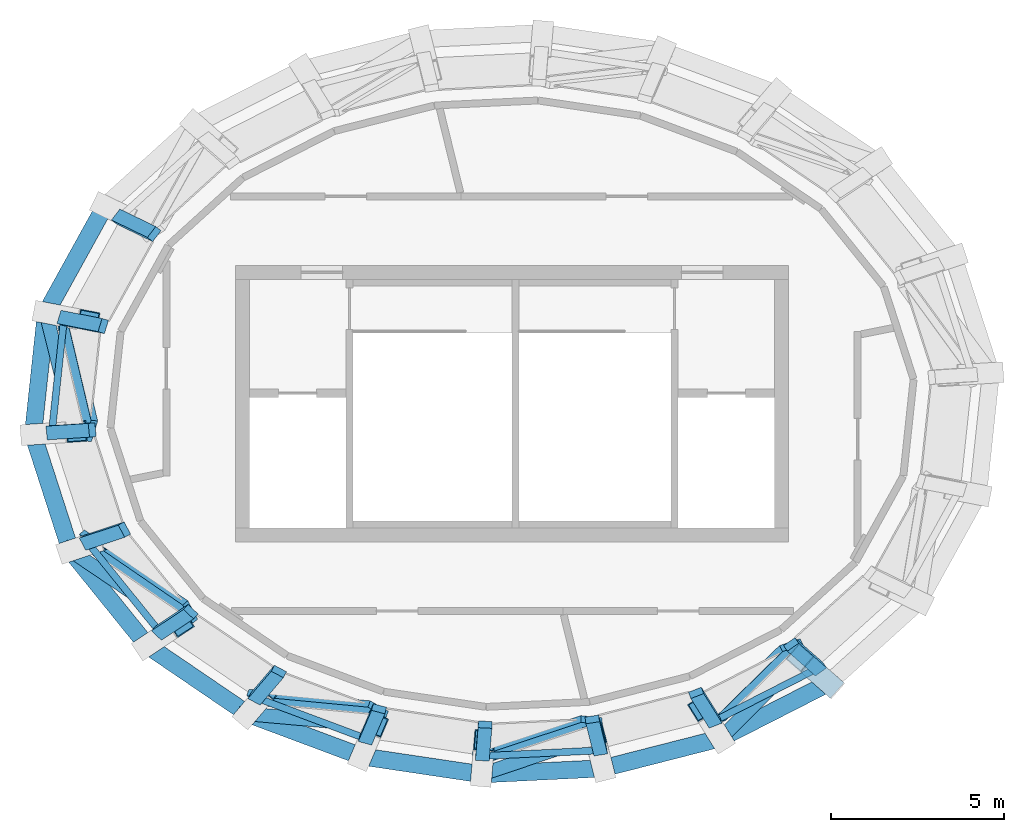
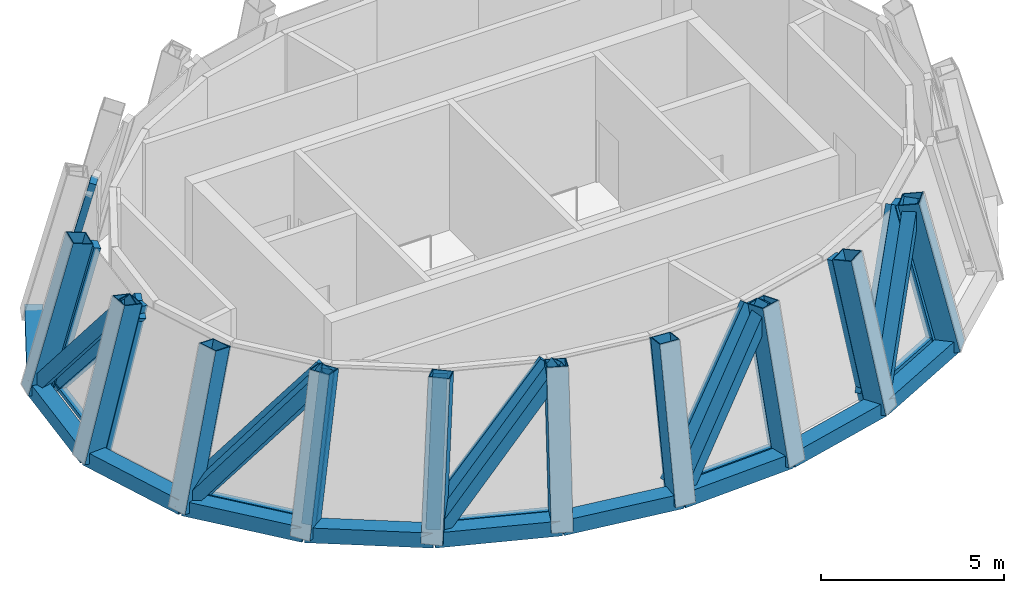
# One storey, part 1 of 6: 36 members, 10 beams, 1 element without a shape of its own.
"""IFC4 building model written with IfcOpenShell, lengths in metres."""

import ifcopenshell
import ifcopenshell.guid

model = None  # the IFC model being written
_history = None  # IfcOwnerHistory: only IFC2X3 demands one
_inside = {}  # id of a spatial element -> (the spatial element, [elements in it])
_under = {}  # id of a project, library or spatial element -> (it, [spatial elements below it])
_declared = {}  # id of a project -> (the project, [libraries it declares])
_typed = {}  # id of a type object -> (the type object, [elements of that type])
_made_of = {}  # id of a material, layer set ... -> (it, [elements and type objects made of it])


def new_model(schema):
    """Start an empty IFC model of exactly this schema.

    Asked for "IFC4X3", IfcOpenShell would pick the latest addendum, in which some entities
    have other attributes; the version numbers below select the first issue.
    IFC2X3 requires an IfcOwnerHistory on every rooted entity: one is made here for all.
    """
    global model, _history
    if schema == "IFC4X3":
        model = ifcopenshell.file(schema_version=(4, 3, 0, 0))
    else:
        model = ifcopenshell.file(schema=schema)
    _inside.clear()
    _under.clear()
    _declared.clear()
    _typed.clear()
    _made_of.clear()
    _history = None
    if model.schema == "IFC2X3":
        org = make("IfcOrganization", Name="unknown")
        user = make(
            "IfcPersonAndOrganization",
            ThePerson=make("IfcPerson", FamilyName="unknown"),
            TheOrganization=org,
        )
        app = make(
            "IfcApplication",
            ApplicationDeveloper=org,
            Version="unknown",
            ApplicationFullName="unknown",
            ApplicationIdentifier="unknown",
        )
        _history = make(
            "IfcOwnerHistory",
            OwningUser=user,
            OwningApplication=app,
            ChangeAction="ADDED",
            CreationDate=0,
        )
    return model


def make(cls, **values):
    """One entity of the class cls with the attributes given. An attribute that is None is left unset."""
    return model.create_entity(
        cls, **{name: value for name, value in values.items() if value is not None}
    )


def rooted(cls, **values):
    """An entity with a GlobalId (a new one), such as an element, a storey or a relation."""
    return make(cls, GlobalId=ifcopenshell.guid.new(), OwnerHistory=_history, **values)


def si_unit(unit_type, name, prefix=None):
    """IfcSIUnit, for example si_unit("LENGTHUNIT", "METRE", prefix="MILLI")."""
    return make("IfcSIUnit", UnitType=unit_type, Prefix=prefix, Name=name)


def assignment(units):
    """IfcUnitAssignment: the units of a project."""
    return None if units is None else make("IfcUnitAssignment", Units=units)


def point(xyz):
    """IfcCartesianPoint."""
    return None if xyz is None else make("IfcCartesianPoint", Coordinates=xyz)


def direction(xyz):
    """IfcDirection."""
    return None if xyz is None else make("IfcDirection", DirectionRatios=xyz)


def frame(location, z_axis=None, x_axis=None):
    """IfcAxis2Placement3D, a coordinate frame: its origin and axes. An axis left out is left unset."""
    return make(
        "IfcAxis2Placement3D",
        Location=point(location),
        Axis=direction(z_axis),
        RefDirection=direction(x_axis),
    )


def frame_2d(location, x_axis=None):
    """IfcAxis2Placement2D, a coordinate frame in the plane: its origin and x axis."""
    return make(
        "IfcAxis2Placement2D", Location=point(location), RefDirection=direction(x_axis)
    )


def origin():
    """The frame at (0, 0, 0) with its axes left unset."""
    return frame((0.0, 0.0, 0.0))


def origin_2d():
    """The frame at (0, 0) in the plane with its x axis left unset."""
    return frame_2d((0.0, 0.0))


def place(relative_to, where):
    """IfcLocalPlacement: puts the frame where relative to a parent placement (None: the world)."""
    return make(
        "IfcLocalPlacement", PlacementRelTo=relative_to, RelativePlacement=where
    )


def context(
    kind, dimensions, precision=None, world=None, true_north=None, identifier=None
):
    """IfcGeometricRepresentationContext, for example the 3D "Model" context."""
    return make(
        "IfcGeometricRepresentationContext",
        ContextIdentifier=identifier,
        ContextType=kind,
        CoordinateSpaceDimension=dimensions,
        Precision=precision,
        WorldCoordinateSystem=world,
        TrueNorth=true_north,
    )


def subcontext(parent, identifier, kind, view, scale=None):
    """IfcGeometricRepresentationSubContext, for example "Body" below "Model"."""
    return make(
        "IfcGeometricRepresentationSubContext",
        ContextIdentifier=identifier,
        ContextType=kind,
        ParentContext=parent,
        TargetScale=scale,
        TargetView=view,
    )


def project(units=None, contexts=None):
    """IfcProject with its units and contexts."""
    return rooted(
        "IfcProject",
        Name="project",
        RepresentationContexts=contexts,
        UnitsInContext=assignment(units),
    )


def spatial(cls, under=None, at=None, **own):
    """A site, building, storey or space (cls), placed at a placement, below another one or the project."""
    s = rooted(cls, ObjectPlacement=at, **own)
    if under is not None:
        _under.setdefault(under.id(), (under, []))[1].append(s)
    return s


def profile(cls, at=None, kind="AREA", **sizes):
    """A parametric profile (cls). Its sizes go by their IFC names, for example OverallWidth=200.0."""
    return make(cls, ProfileType=kind, Position=at, **sizes)


def rectangle(**sizes):
    """IfcRectangleProfileDef."""
    return profile("IfcRectangleProfileDef", **sizes)


def hollow_rectangle(**sizes):
    """IfcRectangleHollowProfileDef."""
    return profile("IfcRectangleHollowProfileDef", **sizes)


def extrude(swept, where, along, depth):
    """IfcExtrudedAreaSolid: the profile swept, set in the frame where, extruded along a direction by depth."""
    return make(
        "IfcExtrudedAreaSolid",
        SweptArea=swept,
        Position=where,
        ExtrudedDirection=direction(along),
        Depth=depth,
    )


def shape(context_of_items, identifier, shape_type, items):
    """IfcShapeRepresentation: the items that make up one representation, for example the "Body"."""
    return make(
        "IfcShapeRepresentation",
        ContextOfItems=context_of_items,
        RepresentationIdentifier=identifier,
        RepresentationType=shape_type,
        Items=items,
    )


def source(mapping_origin, context_of_items, identifier, shape_type, items):
    """IfcRepresentationMap: a shape defined once, which mapped items show again and again."""
    return make(
        "IfcRepresentationMap",
        MappingOrigin=mapping_origin,
        MappedRepresentation=shape(context_of_items, identifier, shape_type, items),
    )


def transform(
    local_origin,
    x_axis=None,
    y_axis=None,
    z_axis=None,
    scale=None,
    scale2=None,
    scale3=None,
    uniform=True,
):
    """IfcCartesianTransformationOperator3D, or its non-uniform kind. x_axis, y_axis, z_axis: its Axis1, 2, 3."""
    if uniform:
        return make(
            "IfcCartesianTransformationOperator3D",
            Axis1=direction(x_axis),
            Axis2=direction(y_axis),
            LocalOrigin=point(local_origin),
            Scale=scale,
            Axis3=direction(z_axis),
        )
    return make(
        "IfcCartesianTransformationOperator3DnonUniform",
        Axis1=direction(x_axis),
        Axis2=direction(y_axis),
        LocalOrigin=point(local_origin),
        Scale=scale,
        Axis3=direction(z_axis),
        Scale2=scale2,
        Scale3=scale3,
    )


def mapped(mapping_source, mapping_target):
    """IfcMappedItem: shows the shape of a source again, moved by a transform."""
    return make(
        "IfcMappedItem", MappingSource=mapping_source, MappingTarget=mapping_target
    )


def material(Name=None, Category=None):
    """IfcMaterial."""
    return make("IfcMaterial", Name=Name, Category=Category)


def material_profile(
    of_material, cross_section, Name=None, Category=None, Priority=None
):
    """IfcMaterialProfile: a cross section and its material."""
    return make(
        "IfcMaterialProfile",
        Name=Name,
        Material=of_material,
        Profile=cross_section,
        Priority=Priority,
        Category=Category,
    )


def profile_set(profiles, Name=None, composite=None):
    """IfcMaterialProfileSet."""
    return make(
        "IfcMaterialProfileSet",
        Name=Name,
        MaterialProfiles=profiles,
        CompositeProfile=composite,
    )


def made_of(thing, what):
    """Note that an element or type object is made of a material, layer set ...; save() writes the relation."""
    if what is not None:
        _made_of.setdefault(what.id(), (what, []))[1].append(thing)
    return thing


def type_object(cls, material=None, **own):
    """A type object (cls), such as IfcWallType, which elements share."""
    return made_of(rooted(cls, **own), material)


def element(
    cls,
    number,
    at=None,
    inside=None,
    cuts=None,
    type_object=None,
    material=None,
    context=None,
    identifier="Body",
    shape_type=None,
    held_by="IfcProductDefinitionShape",
    body=None,
    shapes=None,
    **own,
):
    """One element of the class cls, such as IfcWall. Its Tag is "e" and its number.

    at: its placement. inside: the storey or other place that contains it. cuts: it is an
    opening in that element (IfcRelVoidsElement). A single representation is given by context,
    identifier, shape_type and body (its items); several are given by shapes. held_by: the class
    of the entity that holds the representations. save() writes the other relations.
    """
    e = rooted(cls, Tag="e%d" % number, ObjectPlacement=at, **own)
    if body is not None:
        shapes = [shape(context, identifier, shape_type, body)]
    if shapes is not None:
        e.Representation = make(held_by, Representations=shapes)
    if inside is not None:
        _inside.setdefault(inside.id(), (inside, []))[1].append(e)
    if cuts is not None:
        rooted(
            "IfcRelVoidsElement", RelatingBuildingElement=cuts, RelatedOpeningElement=e
        )
    if type_object is not None:
        _typed.setdefault(type_object.id(), (type_object, []))[1].append(e)
    return made_of(e, material)


def aggregate(whole, parts):
    """IfcRelAggregates: a whole, such as a stair, and the parts it consists of."""
    return rooted("IfcRelAggregates", RelatingObject=whole, RelatedObjects=parts)


def save(model, path):
    """Write the relations noted so far, then the file.

    IfcRelAggregates (storeys below a building ...), IfcRelContainedInSpatialStructure (elements
    in a storey), IfcRelDefinesByType, IfcRelAssociatesMaterial and IfcRelDeclares: one each for
    every whole, place, type object, material and project.
    """
    for whole, parts in _under.values():
        aggregate(whole, parts)
    for where, things in _inside.values():
        rooted(
            "IfcRelContainedInSpatialStructure",
            RelatedElements=things,
            RelatingStructure=where,
        )
    for kind, things in _typed.values():
        rooted("IfcRelDefinesByType", RelatedObjects=things, RelatingType=kind)
    for what, things in _made_of.values():
        rooted("IfcRelAssociatesMaterial", RelatedObjects=things, RelatingMaterial=what)
    for by, libraries in _declared.values():
        rooted("IfcRelDeclares", RelatingContext=by, RelatedDefinitions=libraries)
    model.write(path)


model = new_model("IFC4")

# Units and contexts
model_context = context("Model", 3, precision=1e-05, world=origin(), true_north=direction((0.0, 1.0)))
body_context = subcontext(model_context, "Body", "Model", "MODEL_VIEW")
ifc_project = project(units=[si_unit("LENGTHUNIT", "METRE"), si_unit("AREAUNIT", "SQUARE_METRE"), si_unit("VOLUMEUNIT", "CUBIC_METRE"), si_unit("PLANEANGLEUNIT", "RADIAN"), si_unit("MASSUNIT", "GRAM", prefix="KILO")], contexts=[model_context])

# Site, building, storey
site_placement = place(None, origin())
site = spatial("IfcSite", under=ifc_project, at=site_placement, CompositionType="ELEMENT")
building_placement = place(site_placement, origin())
building = spatial("IfcBuilding", under=site, at=building_placement, Name="Embergate Tower", CompositionType="ELEMENT")
storey_placement = place(building_placement, frame((0.0, 0.0, 370.0)))
storey = spatial("IfcBuildingStorey", under=building, at=storey_placement, Name="L84", CompositionType="ELEMENT", Elevation=370.0)

# Beams
ifc_material_1 = material(Name="Steel Q355D", Category="steel")
ifc_material_profile_1 = material_profile(ifc_material_1, hollow_rectangle(XDim=0.5, YDim=0.5, WallThickness=0.02490234375, at=origin_2d()), Name="BOX 500x500x25")
ifc_profile_set_1 = profile_set([ifc_material_profile_1], Name="Steel Q355 grade D")
beam_type = type_object("IfcBeamType", Name="Glass point ring beam BOX 500x500x25", PredefinedType="BEAM", material=ifc_profile_set_1)
shared_shape_1 = source(origin(), body_context, "Body", "SweptSolid", [
    extrude(hollow_rectangle(XDim=0.5, YDim=0.5, WallThickness=0.02490234375, at=origin_2d()), origin(), (0.0, 0.0, 1.0), 3.533935546875),
])
beam_1_placement = place(storey_placement, frame((-13.85791015625, -0.888916015625, 0.0), z_axis=(0.307281312672, -0.951618723483, 0.0), x_axis=(0.951618723483, 0.307281312672, 0.0)))
element("IfcBeam", 1, at=beam_1_placement, inside=storey, type_object=beam_type, Name="CRN-L84-RB11", PredefinedType="BEAM", context=body_context, shape_type="MappedRepresentation", body=[
    mapped(shared_shape_1, transform((0.0, 0.0, 0.0))),
])
shared_shape_2 = source(origin(), body_context, "Body", "SweptSolid", [
    extrude(hollow_rectangle(XDim=0.5, YDim=0.5, WallThickness=0.02490234375, at=origin_2d()), origin(), (0.0, 0.0, 1.0), 3.528564453125),
])
beam_2_placement = place(storey_placement, frame((-12.77197265625, -4.251953125, 0.0), z_axis=(0.628308117755, -0.777964593772, 0.0), x_axis=(0.777964593772, 0.628308117755, 0.0)))
element("IfcBeam", 2, at=beam_2_placement, inside=storey, type_object=beam_type, Name="CRN-L84-RB12", PredefinedType="BEAM", context=body_context, shape_type="MappedRepresentation", body=[
    mapped(shared_shape_2, transform((0.0, 0.0, 0.0))),
])
shared_shape_3 = source(origin(), body_context, "Body", "SweptSolid", [
    extrude(hollow_rectangle(XDim=0.5, YDim=0.5, WallThickness=0.02490234375, at=origin_2d()), origin(), (0.0, 0.0, 1.0), 3.51904296875),
])
beam_3_placement = place(storey_placement, frame((-10.554931640625, -6.9970703125, 0.0), z_axis=(0.826891660712, -0.562361255284, 0.0), x_axis=(0.562361255284, 0.826891660712, 0.0)))
element("IfcBeam", 3, at=beam_3_placement, inside=storey, type_object=beam_type, Name="CRN-L84-RB13", PredefinedType="BEAM", context=body_context, shape_type="MappedRepresentation", body=[
    mapped(shared_shape_3, transform((0.0, 0.0, 0.0))),
])
shared_shape_4 = source(origin(), body_context, "Body", "SweptSolid", [
    extrude(hollow_rectangle(XDim=0.5, YDim=0.5, WallThickness=0.02490234375, at=origin_2d()), origin(), (0.0, 0.0, 1.0), 3.514892578125),
])
beam_4_placement = place(storey_placement, frame((-7.64501953125, -8.97607421875, 0.0), z_axis=(0.936876104657, -0.349661499914, 0.0), x_axis=(0.349661499914, 0.936876104657, 0.0)))
element("IfcBeam", 4, at=beam_4_placement, inside=storey, type_object=beam_type, Name="CRN-L84-RB14", PredefinedType="BEAM", context=body_context, shape_type="MappedRepresentation", body=[
    mapped(shared_shape_4, transform((0.0, 0.0, 0.0))),
])
shared_shape_5 = source(origin(), body_context, "Body", "SweptSolid", [
    extrude(hollow_rectangle(XDim=0.5, YDim=0.5, WallThickness=0.02490234375, at=origin_2d()), origin(), (0.0, 0.0, 1.0), 3.511474609375),
])
beam_5_placement = place(storey_placement, frame((-4.35205078125, -10.205078125, 0.0), z_axis=(0.989067535064, -0.14746325333, 0.0), x_axis=(0.14746325333, 0.989067535064, 0.0)))
element("IfcBeam", 5, at=beam_5_placement, inside=storey, type_object=beam_type, Name="CRN-L84-RB15", PredefinedType="BEAM", context=body_context, shape_type="MappedRepresentation", body=[
    mapped(shared_shape_5, transform((0.0, 0.0, 0.0))),
])
shared_shape_6 = source(origin(), body_context, "Body", "SweptSolid", [
    extrude(hollow_rectangle(XDim=0.5, YDim=0.5, WallThickness=0.02490234375, at=origin_2d()), origin(), (0.0, 0.0, 1.0), 3.510986328125),
])
beam_6_placement = place(storey_placement, frame((-0.87890625, -10.722900390625, 0.0), z_axis=(0.998801099974, 0.048952657643, 0.0), x_axis=(-0.048952657643, 0.998801099974, 0.0)))
element("IfcBeam", 6, at=beam_6_placement, inside=storey, type_object=beam_type, Name="CRN-L84-RB16", PredefinedType="BEAM", context=body_context, shape_type="MappedRepresentation", body=[
    mapped(shared_shape_6, transform((0.0, 0.0, 0.0))),
])
shared_shape_7 = source(origin(), body_context, "Body", "SweptSolid", [
    extrude(hollow_rectangle(XDim=0.5, YDim=0.5, WallThickness=0.02490234375, at=origin_2d()), origin(), (0.0, 0.0, 1.0), 3.51220703125),
])
beam_7_placement = place(storey_placement, frame((2.6279296875, -10.551025390625, 0.0), z_axis=(0.968899274355, 0.247455442765, 0.0), x_axis=(-0.247455442765, 0.968899274355, 0.0)))
element("IfcBeam", 7, at=beam_7_placement, inside=storey, type_object=beam_type, Name="CRN-L84-RB17", PredefinedType="BEAM", context=body_context, shape_type="MappedRepresentation", body=[
    mapped(shared_shape_7, transform((0.0, 0.0, 0.0))),
])
shared_shape_8 = source(origin(), body_context, "Body", "SweptSolid", [
    extrude(hollow_rectangle(XDim=0.5, YDim=0.5, WallThickness=0.02490234375, at=origin_2d()), origin(), (0.0, 0.0, 1.0), 3.517333984375),
])
beam_8_placement = place(storey_placement, frame((6.031005859375, -9.681884765625, 0.0), z_axis=(0.890718284647, 0.454555758291, 0.0), x_axis=(-0.454555758291, 0.890718284647, 0.0)))
element("IfcBeam", 8, at=beam_8_placement, inside=storey, type_object=beam_type, Name="CRN-L84-RB18", PredefinedType="BEAM", context=body_context, shape_type="MappedRepresentation", body=[
    mapped(shared_shape_8, transform((0.0, 0.0, 0.0))),
])
shared_shape_9 = source(origin(), body_context, "Body", "SweptSolid", [
    extrude(hollow_rectangle(XDim=0.5, YDim=0.5, WallThickness=0.02490234375, at=origin_2d()), origin(), (0.0, 0.0, 1.0), 3.53076171875),
])
beam_9_placement = place(storey_placement, frame((-11.77587890625, 5.717041015625, 0.0), z_axis=(-0.483757201985, -0.875202244929, 0.0), x_axis=(0.875202244929, -0.483757201985, 0.0)))
element("IfcBeam", 9, at=beam_9_placement, inside=storey, type_object=beam_type, Name="CRN-L84-RB09", PredefinedType="BEAM", context=body_context, shape_type="MappedRepresentation", body=[
    mapped(shared_shape_9, transform((0.0, 0.0, 0.0))),
])
shared_shape_10 = source(origin(), body_context, "Body", "SweptSolid", [
    extrude(hollow_rectangle(XDim=0.5, YDim=0.5, WallThickness=0.02490234375, at=origin_2d()), origin(), (0.0, 0.0, 1.0), 3.53564453125),
])
beam_10_placement = place(storey_placement, frame((-13.48388671875, 2.626953125, 0.0), z_axis=(-0.105784601885, -0.994389067721, 0.0), x_axis=(0.994389067721, -0.105784601885, 0.0)))
element("IfcBeam", 10, at=beam_10_placement, inside=storey, type_object=beam_type, Name="CRN-L84-RB10", PredefinedType="BEAM", context=body_context, shape_type="MappedRepresentation", body=[
    mapped(shared_shape_10, transform((0.0, 0.0, 0.0))),
])

# Members
ifc_material_profile_2 = material_profile(ifc_material_1, hollow_rectangle(XDim=0.60009765625, YDim=0.60009765625, WallThickness=0.028076171875, at=origin_2d()), Name="BOX 600x600x28")
ifc_profile_set_2 = profile_set([ifc_material_profile_2], Name="Steel Q355 grade D")
member_type_1 = type_object("IfcMemberType", Name="Glass point hip BOX 600x600x28", PredefinedType="MEMBER", material=ifc_profile_set_2)
shared_shape_11 = source(origin(), body_context, "Body", "SweptSolid", [
    extrude(hollow_rectangle(XDim=0.60009765625, YDim=0.60009765625, WallThickness=0.028076171875, at=origin_2d()), origin(), (0.0, 0.0, 1.0), 4.964111328125),
])
member_1_placement = place(storey_placement, frame((-13.89697265625, -0.89208984375, -0.14501953125), z_axis=(0.26189350722, 0.016918566476, 0.964948471673), x_axis=(-0.064466560475, 0.997919867815, 0.0)))
element("IfcMember", 11, at=member_1_placement, inside=storey, type_object=member_type_1, Name="CRN-L84-HP11", PredefinedType="MEMBER", context=body_context, shape_type="MappedRepresentation", body=[
    mapped(shared_shape_11, transform((0.0, 0.0, 0.0))),
])
shared_shape_12 = source(origin(), body_context, "Body", "SweptSolid", [
    extrude(hollow_rectangle(XDim=0.60009765625, YDim=0.60009765625, WallThickness=0.028076171875, at=origin_2d()), origin(), (0.0, 0.0, 1.0), 4.937255859375),
])
member_2_placement = place(storey_placement, frame((-10.5849609375, -7.01708984375, -0.14599609375), z_axis=(0.200710682198, 0.133065396845, 0.97057138955), x_axis=(-0.552566012863, 0.833469136459, 0.0)))
element("IfcMember", 12, at=member_2_placement, inside=storey, type_object=member_type_1, Name="CRN-L84-HP13", PredefinedType="MEMBER", context=body_context, shape_type="MappedRepresentation", body=[
    mapped(shared_shape_12, transform((0.0, 0.0, 0.0))),
])
shared_shape_13 = source(origin(), body_context, "Body", "SweptSolid", [
    extrude(hollow_rectangle(XDim=0.60009765625, YDim=0.60009765625, WallThickness=0.028076171875, at=origin_2d()), origin(), (0.0, 0.0, 1.0), 4.918701171875),
])
member_3_placement = place(storey_placement, frame((-7.6669921875, -9.001953125, -0.14599609375), z_axis=(0.146179093793, 0.171592912476, 0.974262564674), x_axis=(-0.761227126686, 0.648485359586, 0.0)))
element("IfcMember", 13, at=member_3_placement, inside=storey, type_object=member_type_1, Name="CRN-L84-HP14", PredefinedType="MEMBER", context=body_context, shape_type="MappedRepresentation", body=[
    mapped(shared_shape_13, transform((0.0, 0.0, 0.0))),
])
shared_shape_14 = source(origin(), body_context, "Body", "SweptSolid", [
    extrude(hollow_rectangle(XDim=0.60009765625, YDim=0.60009765625, WallThickness=0.028076171875, at=origin_2d()), origin(), (0.0, 0.0, 1.0), 4.906005859375),
])
member_4_placement = place(storey_placement, frame((-4.364990234375, -10.23388671875, -0.14697265625), z_axis=(0.083551912669, 0.195468679551, 0.977144346145), x_axis=(-0.919519969842, 0.393043286498, 0.0)))
element("IfcMember", 14, at=member_4_placement, inside=storey, type_object=member_type_1, Name="CRN-L84-HP15", PredefinedType="MEMBER", context=body_context, shape_type="MappedRepresentation", body=[
    mapped(shared_shape_14, transform((0.0, 0.0, 0.0))),
])
shared_shape_15 = source(origin(), body_context, "Body", "SweptSolid", [
    extrude(hollow_rectangle(XDim=0.60009765625, YDim=0.60009765625, WallThickness=0.028076171875, at=origin_2d()), origin(), (0.0, 0.0, 1.0), 4.901611328125),
])
member_5_placement = place(storey_placement, frame((2.635986328125, -10.5810546875, -0.14697265625), z_axis=(-0.050605527649, 0.202173067646, 0.978041477285), x_axis=(-0.970072167373, -0.242816782964, 0.0)))
element("IfcMember", 15, at=member_5_placement, inside=storey, type_object=member_type_1, Name="CRN-L84-HP17", PredefinedType="MEMBER", context=body_context, shape_type="MappedRepresentation", body=[
    mapped(shared_shape_15, transform((0.0, 0.0, 0.0))),
])
shared_shape_16 = source(origin(), body_context, "Body", "SweptSolid", [
    extrude(hollow_rectangle(XDim=0.60009765625, YDim=0.60009765625, WallThickness=0.028076171875, at=origin_2d()), origin(), (0.0, 0.0, 1.0), 4.927490234375),
])
member_6_placement = place(storey_placement, frame((9.18994140625, -8.10595703125, -0.14599609375), z_axis=(-0.174700741221, 0.154039876476, 0.9724974897), x_axis=(-0.661361278395, -0.750067503255, 0.0)))
element("IfcMember", 16, at=member_6_placement, inside=storey, type_object=member_type_1, Name="CRN-L84-HP19", PredefinedType="MEMBER", context=body_context, shape_type="MappedRepresentation", body=[
    mapped(shared_shape_16, transform((0.0, 0.0, 0.0))),
])
shared_shape_17 = source(origin(), body_context, "Body", "SweptSolid", [
    extrude(hollow_rectangle(XDim=0.60009765625, YDim=0.60009765625, WallThickness=0.028076171875, at=origin_2d()), origin(), (0.0, 0.0, 1.0), 4.96044921875),
])
member_7_placement = place(storey_placement, frame((-13.52197265625, 2.634033203125, -0.14501953125), z_axis=(0.255001098629, -0.049612257753, 0.965667159832), x_axis=(0.190976150256, 0.98159467706, 0.0)))
element("IfcMember", 17, at=member_7_placement, inside=storey, type_object=member_type_1, Name="CRN-L84-HP10", PredefinedType="MEMBER", context=body_context, shape_type="MappedRepresentation", body=[
    mapped(shared_shape_17, transform((0.0, 0.0, 0.0))),
])
shared_shape_18 = source(origin(), body_context, "Body", "SweptSolid", [
    extrude(hollow_rectangle(XDim=0.60009765625, YDim=0.60009765625, WallThickness=0.028076171875, at=origin_2d()), origin(), (0.0, 0.0, 1.0), 4.953857421875),
])
member_8_placement = place(storey_placement, frame((-12.80810546875, -4.263916015625, -0.14501953125), z_axis=(0.242072647791, 0.080526609628, 0.966910698221), x_axis=(-0.315648181589, 0.948876296184, 0.0)))
element("IfcMember", 18, at=member_8_placement, inside=storey, type_object=member_type_1, Name="CRN-L84-HP12", PredefinedType="MEMBER", context=body_context, shape_type="MappedRepresentation", body=[
    mapped(shared_shape_18, transform((0.0, 0.0, 0.0))),
])
shared_shape_19 = source(origin(), body_context, "Body", "SweptSolid", [
    extrude(hollow_rectangle(XDim=0.60009765625, YDim=0.60009765625, WallThickness=0.028076171875, at=origin_2d()), origin(), (0.0, 0.0, 1.0), 4.899658203125),
])
member_9_placement = place(storey_placement, frame((-0.882080078125, -10.75390625, -0.14697265625), z_axis=(0.017140874765, 0.205889809678, 0.978425049088), x_axis=(-0.996552408266, 0.082965640959, 0.0)))
element("IfcMember", 19, at=member_9_placement, inside=storey, type_object=member_type_1, Name="CRN-L84-HP16", PredefinedType="MEMBER", context=body_context, shape_type="MappedRepresentation", body=[
    mapped(shared_shape_19, transform((0.0, 0.0, 0.0))),
])
shared_shape_20 = source(origin(), body_context, "Body", "SweptSolid", [
    extrude(hollow_rectangle(XDim=0.60009765625, YDim=0.60009765625, WallThickness=0.028076171875, at=origin_2d()), origin(), (0.0, 0.0, 1.0), 4.91064453125),
])
member_10_placement = place(storey_placement, frame((6.048095703125, -9.7099609375, -0.14599609375), z_axis=(-0.115295180547, 0.185496472024, 0.975857612672), x_axis=(-0.849312909201, -0.527889744421, 0.0)))
element("IfcMember", 20, at=member_10_placement, inside=storey, type_object=member_type_1, Name="CRN-L84-HP18", PredefinedType="MEMBER", context=body_context, shape_type="MappedRepresentation", body=[
    mapped(shared_shape_20, transform((0.0, 0.0, 0.0))),
])
ifc_material_profile_3 = material_profile(ifc_material_1, hollow_rectangle(XDim=0.39990234375, YDim=0.39990234375, WallThickness=0.02197265625, at=origin_2d()), Name="BOX 400x400x22")
ifc_profile_set_3 = profile_set([ifc_material_profile_3], Name="Steel Q355 grade D")
member_type_2 = type_object("IfcMemberType", Name="Glass point brace BOX 400x400x22", PredefinedType="BRACE", material=ifc_profile_set_3)
shared_shape_21 = source(origin(), body_context, "Body", "SweptSolid", [
    extrude(hollow_rectangle(XDim=0.39990234375, YDim=0.39990234375, WallThickness=0.02197265625, at=origin_2d()), origin(), (0.0, 0.0, 1.0), 6.026123046875),
])
member_11_placement = place(storey_placement, frame((-13.506103515625, 2.717041015625, -0.117919921875), z_axis=(0.148038763841, -0.600379431135, 0.78589379885), x_axis=(0.97091982153, 0.239404887501, 0.0)))
element("IfcMember", 21, at=member_11_placement, inside=storey, type_object=member_type_2, Name="CRN-L84-DG10", PredefinedType="BRACE", context=body_context, shape_type="MappedRepresentation", body=[
    mapped(shared_shape_21, transform((0.0, 0.0, 0.0))),
])
shared_shape_22 = source(origin(), body_context, "Body", "SweptSolid", [
    extrude(hollow_rectangle(XDim=0.39990234375, YDim=0.39990234375, WallThickness=0.02197265625, at=origin_2d()), origin(), (0.0, 0.0, 1.0), 6.18994140625),
])
member_12_placement = place(storey_placement, frame((-12.85205078125, -4.197998046875, -0.114990234375), z_axis=(0.534425644031, -0.36124018256, 0.764130068448), x_axis=(0.560008296912, 0.828486998926, 0.0)))
element("IfcMember", 22, at=member_12_placement, inside=storey, type_object=member_type_2, Name="CRN-L84-DG12", PredefinedType="BRACE", context=body_context, shape_type="MappedRepresentation", body=[
    mapped(shared_shape_22, transform((0.0, 0.0, 0.0))),
])
shared_shape_23 = source(origin(), body_context, "Body", "SweptSolid", [
    extrude(hollow_rectangle(XDim=0.39990234375, YDim=0.39990234375, WallThickness=0.02197265625, at=origin_2d()), origin(), (0.0, 0.0, 1.0), 6.12060546875),
])
member_13_placement = place(storey_placement, frame((-7.739990234375, -8.968017578125, -0.115966796875), z_axis=(0.631782829981, -0.056201907156, 0.773105297727), x_axis=(0.088607730182, 0.996066599255, 0.0)))
element("IfcMember", 23, at=member_13_placement, inside=storey, type_object=member_type_2, Name="CRN-L84-DG14", PredefinedType="BRACE", context=body_context, shape_type="MappedRepresentation", body=[
    mapped(shared_shape_23, transform((0.0, 0.0, 0.0))),
])
shared_shape_24 = source(origin(), body_context, "Body", "SweptSolid", [
    extrude(hollow_rectangle(XDim=0.39990234375, YDim=0.39990234375, WallThickness=0.02197265625, at=origin_2d()), origin(), (0.0, 0.0, 1.0), 5.97412109375),
])
member_14_placement = place(storey_placement, frame((-0.966064453125, -10.751953125, -0.118896484375), z_axis=(0.577322015433, 0.194320533969, 0.793056631379), x_axis=(-0.319003857601, 0.947753416684, 0.0)))
element("IfcMember", 24, at=member_14_placement, inside=storey, type_object=member_type_2, Name="CRN-L84-DG16", PredefinedType="BRACE", context=body_context, shape_type="MappedRepresentation", body=[
    mapped(shared_shape_24, transform((0.0, 0.0, 0.0))),
])
shared_shape_25 = source(origin(), body_context, "Body", "SweptSolid", [
    extrude(hollow_rectangle(XDim=0.39990234375, YDim=0.39990234375, WallThickness=0.02197265625, at=origin_2d()), origin(), (0.0, 0.0, 1.0), 5.8671875),
])
member_15_placement = place(storey_placement, frame((5.968017578125, -9.743896484375, -0.12109375), z_axis=(0.417569505457, 0.415156049422, 0.808258104036), x_axis=(-0.705054439956, 0.709153182816, 0.0)))
element("IfcMember", 25, at=member_15_placement, inside=storey, type_object=member_type_2, Name="CRN-L84-DG18", PredefinedType="BRACE", context=body_context, shape_type="MappedRepresentation", body=[
    mapped(shared_shape_25, transform((0.0, 0.0, 0.0))),
])

# Curtain wall, members
ifc_material_2 = material(Name="Aluminium and glass", Category="aluminium")
curtain_wall_type = type_object("IfcCurtainWallType", Name="Crown facet glazing", PredefinedType="NOTDEFINED", material=ifc_material_2)
curtain_wall_placement = place(storey_placement, origin())
curtain_wall = element("IfcCurtainWall", 26, at=curtain_wall_placement, inside=storey, type_object=curtain_wall_type, Name="Crown facet glazing L84", ObjectType="CROWN FACET GLAZING", PredefinedType="USERDEFINED")
ifc_material_3 = material(Name="Aluminium, thermally broken", Category="aluminium")
ifc_material_profile_4 = material_profile(ifc_material_3, rectangle(XDim=0.199951171875, YDim=0.39990234375, at=origin_2d()), Name="AL 400x200")
ifc_profile_set_4 = profile_set([ifc_material_profile_4], Name="Aluminium, thermally broken")
member_type_3 = type_object("IfcMemberType", Name="Crown hip mullion", PredefinedType="MULLION", material=ifc_profile_set_4)
shared_shape_26 = source(origin(), body_context, "Body", "SweptSolid", [
    extrude(rectangle(XDim=0.199951171875, YDim=0.39990234375, at=origin_2d()), origin(), (0.0, 0.0, 1.0), 4.66357421875),
])
member_16_placement = place(storey_placement, frame((-13.3681640625, -0.838134765625, -0.1337890625), z_axis=(0.262061765825, 0.016699501258, 0.96490660561), x_axis=(-0.959824332733, -0.099410618504, 0.26240194211)))
member_16 = element("IfcMember", 27, at=member_16_placement, type_object=member_type_3, Name="CW hip 12", PredefinedType="MULLION", context=body_context, shape_type="MappedRepresentation", body=[
    mapped(shared_shape_26, transform((0.0, 0.0, 0.0))),
])
shared_shape_27 = source(origin(), body_context, "Body", "SweptSolid", [
    extrude(rectangle(XDim=0.199951171875, YDim=0.39990234375, at=origin_2d()), origin(), (0.0, 0.0, 1.0), 4.636474609375),
])
member_17_placement = place(storey_placement, frame((-10.222412109375, -6.6357421875, -0.118408203125), z_axis=(0.200777857695, 0.133062063046, 0.970557952539), x_axis=(-0.658408147619, -0.715274556246, 0.234266985162)))
member_17 = element("IfcMember", 28, at=member_17_placement, type_object=member_type_3, Name="CW hip 14", PredefinedType="MULLION", context=body_context, shape_type="MappedRepresentation", body=[
    mapped(shared_shape_27, transform((0.0, 0.0, 0.0))),
])
shared_shape_28 = source(origin(), body_context, "Body", "SweptSolid", [
    extrude(rectangle(XDim=0.199951171875, YDim=0.39990234375, at=origin_2d()), origin(), (0.0, 0.0, 1.0), 4.59912109375),
])
member_18_placement = place(storey_placement, frame((-0.854736328125, -10.232177734375, -0.103759765625), z_axis=(0.01698652435, 0.205908524852, 0.978423802544), x_axis=(-0.048552618981, -0.977240693947, 0.206502467985)))
member_18 = element("IfcMember", 29, at=member_18_placement, type_object=member_type_3, Name="CW hip 17", PredefinedType="MULLION", context=body_context, shape_type="MappedRepresentation", body=[
    mapped(shared_shape_28, transform((0.0, 0.0, 0.0))),
])
shared_shape_29 = source(origin(), body_context, "Body", "SweptSolid", [
    extrude(rectangle(XDim=0.199951171875, YDim=0.39990234375, at=origin_2d()), origin(), (0.0, 0.0, 1.0), 4.60107421875),
])
member_19_placement = place(storey_placement, frame((2.5546875, -10.06494140625, -0.1044921875), z_axis=(-0.050407980312, 0.202321714662, 0.978020940112), x_axis=(0.145631371181, -0.967310079204, 0.207611932217)))
member_19 = element("IfcMember", 30, at=member_19_placement, type_object=member_type_3, Name="CW hip 18", PredefinedType="MULLION", context=body_context, shape_type="MappedRepresentation", body=[
    mapped(shared_shape_29, transform((0.0, 0.0, 0.0))),
])
shared_shape_30 = source(origin(), body_context, "Body", "SweptSolid", [
    extrude(rectangle(XDim=0.199951171875, YDim=0.39990234375, at=origin_2d()), origin(), (0.0, 0.0, 1.0), 4.62744140625),
])
member_20_placement = place(storey_placement, frame((8.88525390625, -7.6787109375, -0.1142578125), z_axis=(-0.174845940811, 0.154058583937, 0.972468431209), x_axis=(0.553086247286, -0.801756088736, 0.22645700969)))
member_20 = element("IfcMember", 31, at=member_20_placement, type_object=member_type_3, Name="CW hip 20", PredefinedType="MULLION", context=body_context, shape_type="MappedRepresentation", body=[
    mapped(shared_shape_30, transform((0.0, 0.0, 0.0))),
])
shared_shape_31 = source(origin(), body_context, "Body", "SweptSolid", [
    extrude(rectangle(XDim=0.199951171875, YDim=0.39990234375, at=origin_2d()), origin(), (0.0, 0.0, 1.0), 4.64599609375),
])
member_21_placement = place(storey_placement, frame((-11.39111328125, 5.411865234375, -0.123291015625), z_axis=(0.223854116493, -0.108511443793, 0.968563163193), x_axis=(-0.760096010704, 0.602590917637, 0.243183553088)))
member_21 = element("IfcMember", 32, at=member_21_placement, type_object=member_type_3, Name="CW hip 10", PredefinedType="MULLION", context=body_context, shape_type="MappedRepresentation", body=[
    mapped(shared_shape_31, transform((0.0, 0.0, 0.0))),
])
shared_shape_32 = source(origin(), body_context, "Body", "SweptSolid", [
    extrude(rectangle(XDim=0.199951171875, YDim=0.39990234375, at=origin_2d()), origin(), (0.0, 0.0, 1.0), 4.66015625),
])
member_22_placement = place(storey_placement, frame((-13.0146484375, 2.47900390625, -0.131591796875), z_axis=(0.255131251386, -0.049821318289, 0.965622017567), x_axis=(-0.921190397078, 0.290923797398, 0.258402005485)))
member_22 = element("IfcMember", 33, at=member_22_placement, type_object=member_type_3, Name="CW hip 11", PredefinedType="MULLION", context=body_context, shape_type="MappedRepresentation", body=[
    mapped(shared_shape_32, transform((0.0, 0.0, 0.0))),
])
shared_shape_33 = source(origin(), body_context, "Body", "SweptSolid", [
    extrude(rectangle(XDim=0.199951171875, YDim=0.39990234375, at=origin_2d()), origin(), (0.0, 0.0, 1.0), 4.654052734375),
])
member_23_placement = place(storey_placement, frame((-12.339599609375, -4.017822265625, -0.127685546875), z_axis=(0.242142000611, 0.080574114588, 0.966889375057), x_axis=(-0.851095571937, -0.460826630283, 0.251545511294)))
member_23 = element("IfcMember", 34, at=member_23_placement, type_object=member_type_3, Name="CW hip 13", PredefinedType="MULLION", context=body_context, shape_type="MappedRepresentation", body=[
    mapped(shared_shape_33, transform((0.0, 0.0, 0.0))),
])
shared_shape_34 = source(origin(), body_context, "Body", "SweptSolid", [
    extrude(rectangle(XDim=0.199951171875, YDim=0.39990234375, at=origin_2d()), origin(), (0.0, 0.0, 1.0), 4.61865234375),
])
member_24_placement = place(storey_placement, frame((-7.41943359375, -8.539794921875, -0.110595703125), z_axis=(0.146153697129, 0.171472909037, 0.974287502887), x_axis=(-0.447975995479, -0.86662456322, 0.219725678743)))
member_24 = element("IfcMember", 35, at=member_24_placement, type_object=member_type_3, Name="CW hip 15", PredefinedType="MULLION", context=body_context, shape_type="MappedRepresentation", body=[
    mapped(shared_shape_34, transform((0.0, 0.0, 0.0))),
])
shared_shape_35 = source(origin(), body_context, "Body", "SweptSolid", [
    extrude(rectangle(XDim=0.199951171875, YDim=0.39990234375, at=origin_2d()), origin(), (0.0, 0.0, 1.0), 4.60546875),
])
member_25_placement = place(storey_placement, frame((-4.229248046875, -9.729248046875, -0.105712890625), z_axis=(0.083387991981, 0.195667564145, 0.977118543031), x_axis=(-0.244271557349, -0.946605367551, 0.210403622577)))
member_25 = element("IfcMember", 36, at=member_25_placement, type_object=member_type_3, Name="CW hip 16", PredefinedType="MULLION", context=body_context, shape_type="MappedRepresentation", body=[
    mapped(shared_shape_35, transform((0.0, 0.0, 0.0))),
])
ifc_material_profile_5 = material_profile(ifc_material_3, rectangle(XDim=0.199951171875, YDim=0.139892578125, at=origin_2d()), Name="AL 140x200")
ifc_profile_set_5 = profile_set([ifc_material_profile_5], Name="Aluminium, thermally broken")
member_type_4 = type_object("IfcMemberType", Name="Crown facet transom", PredefinedType="USERDEFINED", material=ifc_profile_set_5)
shared_shape_36 = source(origin(), body_context, "Body", "SweptSolid", [
    extrude(rectangle(XDim=0.199951171875, YDim=0.139892578125, at=origin_2d()), origin(), (0.0, 0.0, 1.0), 3.099365234375),
])
member_26_placement = place(storey_placement, frame((-0.7001953125, -10.18798828125, 0.070068359375), z_axis=(0.998802889322, 0.048916135195, 0.0), x_axis=(-0.048916135195, 0.998802889322, 0.0)))
member_26 = element("IfcMember", 37, at=member_26_placement, type_object=member_type_4, Name="CW transom 17.1", ObjectType="TRANSOM", PredefinedType="USERDEFINED", context=body_context, shape_type="MappedRepresentation", body=[
    mapped(shared_shape_36, transform((0.0, 0.0, 0.0))),
])
shared_shape_37 = source(origin(), body_context, "Body", "SweptSolid", [
    extrude(rectangle(XDim=0.199951171875, YDim=0.39990234375, at=origin_2d()), origin(), (0.0, 0.0, 1.0), 4.611328125),
])
member_27_placement = place(storey_placement, frame((5.857421875, -9.222412109375, -0.10791015625), z_axis=(-0.115365202346, 0.185410251773, 0.975865722641), x_axis=(0.344856403266, -0.913843005621, 0.214394547982)))
member_27 = element("IfcMember", 38, at=member_27_placement, type_object=member_type_3, Name="CW hip 19", PredefinedType="MULLION", context=body_context, shape_type="MappedRepresentation", body=[
    mapped(shared_shape_37, transform((0.0, 0.0, 0.0))),
])
shared_shape_38 = source(origin(), body_context, "Body", "SweptSolid", [
    extrude(rectangle(XDim=0.199951171875, YDim=0.139892578125, at=origin_2d()), origin(), (0.0, 0.0, 1.0), 3.1220703125),
])
member_28_placement = place(storey_placement, frame((-12.97216796875, 2.36669921875, 0.070068359375), z_axis=(-0.105804151814, -0.994386987776, 0.0), x_axis=(0.994386987776, -0.105804151814, 0.0)))
member_28 = element("IfcMember", 39, at=member_28_placement, type_object=member_type_4, Name="CW transom 11.1", ObjectType="TRANSOM", PredefinedType="USERDEFINED", context=body_context, shape_type="MappedRepresentation", body=[
    mapped(shared_shape_38, transform((0.0, 0.0, 0.0))),
])
ifc_material_profile_6 = material_profile(ifc_material_3, rectangle(XDim=0.199951171875, YDim=0.760009765625, at=origin_2d()), Name="AL 760x200")
ifc_profile_set_6 = profile_set([ifc_material_profile_6], Name="Aluminium, thermally broken")
member_type_5 = type_object("IfcMemberType", Name="Crown diagonal cover mullion", PredefinedType="MULLION", material=ifc_profile_set_6)
shared_shape_39 = source(origin(), body_context, "Body", "SweptSolid", [
    extrude(rectangle(XDim=0.199951171875, YDim=0.760009765625, at=origin_2d()), origin(), (0.0, 0.0, 1.0), 5.375732421875),
])
member_29_placement = place(storey_placement, frame((-12.9521484375, 2.495849609375, 0.093505859375), z_axis=(0.144920485614, -0.611018556395, 0.778237994826), x_axis=(-0.96044868812, 0.102142917118, 0.259046601931)))
member_29 = element("IfcMember", 40, at=member_29_placement, type_object=member_type_5, Name="CW diagonal mullion 11", PredefinedType="MULLION", context=body_context, shape_type="MappedRepresentation", body=[
    mapped(shared_shape_39, transform((0.0, 0.0, 0.0))),
])
shared_shape_40 = source(origin(), body_context, "Body", "SweptSolid", [
    extrude(rectangle(XDim=0.199951171875, YDim=0.139892578125, at=origin_2d()), origin(), (0.0, 0.0, 1.0), 3.115478515625),
])
member_30_placement = place(storey_placement, frame((-12.22119140625, -4.0869140625, 0.070068359375), z_axis=(0.628338931184, -0.777939706892, 0.0), x_axis=(0.777939706892, 0.628338931184, 0.0)))
member_30 = element("IfcMember", 41, at=member_30_placement, type_object=member_type_4, Name="CW transom 13.1", ObjectType="TRANSOM", PredefinedType="USERDEFINED", context=body_context, shape_type="MappedRepresentation", body=[
    mapped(shared_shape_40, transform((0.0, 0.0, 0.0))),
])
shared_shape_41 = source(origin(), body_context, "Body", "SweptSolid", [
    extrude(rectangle(XDim=0.199951171875, YDim=0.760009765625, at=origin_2d()), origin(), (0.0, 0.0, 1.0), 5.546142578125),
])
member_31_placement = place(storey_placement, frame((-12.2998046875, -3.9814453125, 0.0908203125), z_axis=(0.538891307492, -0.369502829202, 0.757009787203), x_axis=(-0.755250020413, -0.609948273932, 0.239917714631)))
member_31 = element("IfcMember", 42, at=member_31_placement, type_object=member_type_5, Name="CW diagonal mullion 13", PredefinedType="MULLION", context=body_context, shape_type="MappedRepresentation", body=[
    mapped(shared_shape_41, transform((0.0, 0.0, 0.0))),
])
shared_shape_42 = source(origin(), body_context, "Body", "SweptSolid", [
    extrude(rectangle(XDim=0.199951171875, YDim=0.139892578125, at=origin_2d()), origin(), (0.0, 0.0, 1.0), 3.102783203125),
])
member_32_placement = place(storey_placement, frame((-7.260498046875, -8.55712890625, 0.070068359375), z_axis=(0.936874510871, -0.349665770245, 0.0), x_axis=(0.349665770245, 0.936874510871, 0.0)))
member_32 = element("IfcMember", 43, at=member_32_placement, type_object=member_type_4, Name="CW transom 15.1", ObjectType="TRANSOM", PredefinedType="USERDEFINED", context=body_context, shape_type="MappedRepresentation", body=[
    mapped(shared_shape_42, transform((0.0, 0.0, 0.0))),
])
shared_shape_43 = source(origin(), body_context, "Body", "SweptSolid", [
    extrude(rectangle(XDim=0.199951171875, YDim=0.760009765625, at=origin_2d()), origin(), (0.0, 0.0, 1.0), 5.48974609375),
])
member_33_placement = place(storey_placement, frame((-7.381591796875, -8.5068359375, 0.092041015625), z_axis=(0.638980039622, -0.060526992896, 0.766838308965), x_axis=(-0.341662224999, -0.915499040494, 0.212434533125)))
member_33 = element("IfcMember", 44, at=member_33_placement, type_object=member_type_5, Name="CW diagonal mullion 15", PredefinedType="MULLION", context=body_context, shape_type="MappedRepresentation", body=[
    mapped(shared_shape_43, transform((0.0, 0.0, 0.0))),
])
shared_shape_44 = source(origin(), body_context, "Body", "SweptSolid", [
    extrude(rectangle(XDim=0.199951171875, YDim=0.760009765625, at=origin_2d()), origin(), (0.0, 0.0, 1.0), 5.347412109375),
])
member_34_placement = place(storey_placement, frame((-0.830810546875, -10.189453125, 0.094482421875), z_axis=(0.585798321165, 0.193576874892, 0.786999568251), x_axis=(0.047921624548, -0.977630879853, 0.204795948834)))
member_34 = element("IfcMember", 45, at=member_34_placement, type_object=member_type_5, Name="CW diagonal mullion 17", PredefinedType="MULLION", context=body_context, shape_type="MappedRepresentation", body=[
    mapped(shared_shape_44, transform((0.0, 0.0, 0.0))),
])
shared_shape_45 = source(origin(), body_context, "Body", "SweptSolid", [
    extrude(rectangle(XDim=0.199951171875, YDim=0.139892578125, at=origin_2d()), origin(), (0.0, 0.0, 1.0), 3.10498046875),
])
member_35_placement = place(storey_placement, frame((5.96630859375, -9.122314453125, 0.070068359375), z_axis=(0.89071704178, 0.454558193726, 0.0), x_axis=(-0.454558193726, 0.89071704178, 0.0)))
member_35 = element("IfcMember", 46, at=member_35_placement, type_object=member_type_4, Name="CW transom 19.1", ObjectType="TRANSOM", PredefinedType="USERDEFINED", context=body_context, shape_type="MappedRepresentation", body=[
    mapped(shared_shape_45, transform((0.0, 0.0, 0.0))),
])
shared_shape_46 = source(origin(), body_context, "Body", "SweptSolid", [
    extrude(rectangle(XDim=0.199951171875, YDim=0.760009765625, at=origin_2d()), origin(), (0.0, 0.0, 1.0), 5.236572265625),
])
member_36_placement = place(storey_placement, frame((5.847412109375, -9.176513671875, 0.09619140625), z_axis=(0.426684990025, 0.41838626535, 0.801805994149), x_axis=(0.44366810078, -0.869385355648, 0.217549350114)))
member_36 = element("IfcMember", 47, at=member_36_placement, type_object=member_type_5, Name="CW diagonal mullion 19", PredefinedType="MULLION", context=body_context, shape_type="MappedRepresentation", body=[
    mapped(shared_shape_46, transform((0.0, 0.0, 0.0))),
])
aggregate(curtain_wall, [member_21, member_22, member_28, member_29, member_16, member_23, member_30, member_31, member_17, member_24, member_32, member_33, member_25, member_18, member_26, member_34, member_19, member_27, member_35, member_36, member_20])

save(model, "model.ifc")
